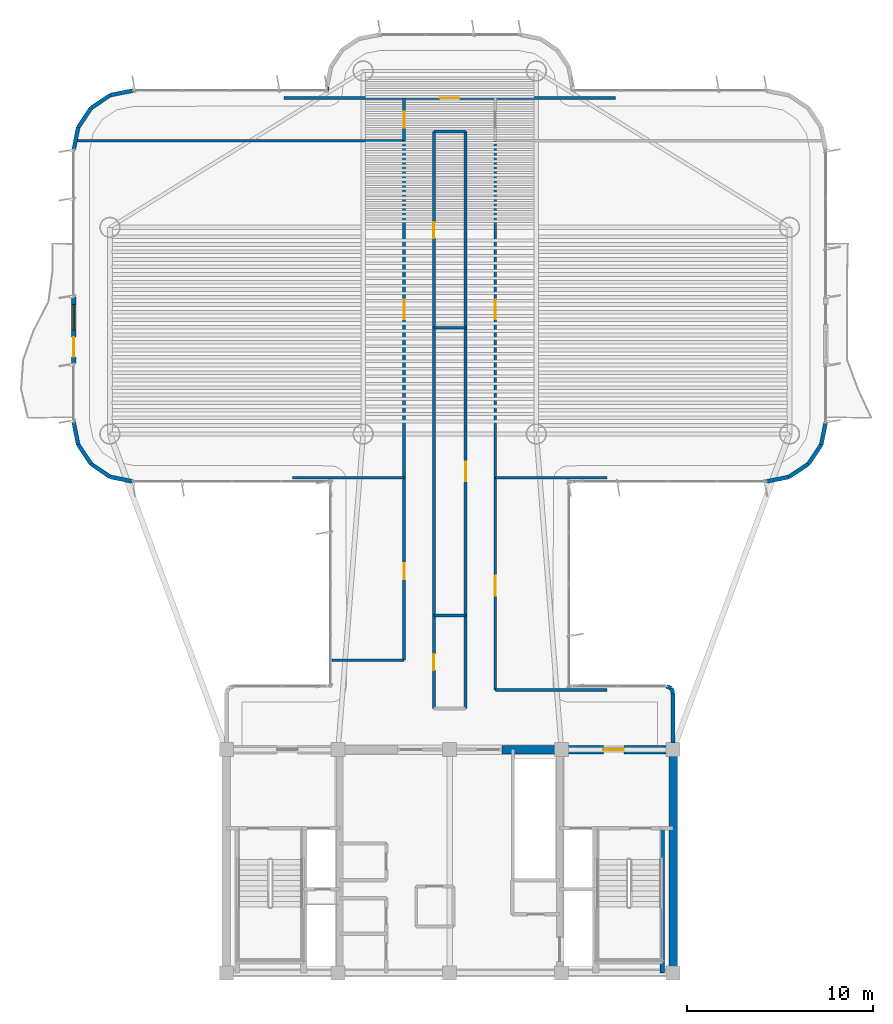
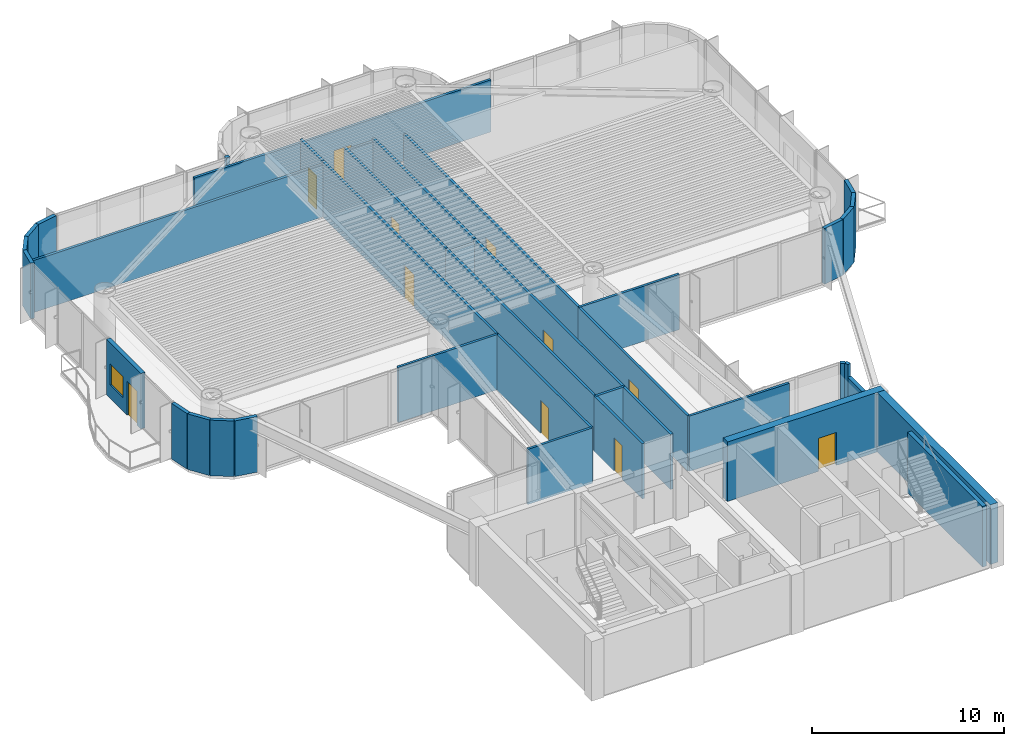
# One storey, part 10 of 13: 40 walls, 11 doors, 1 window, 12 openings.
"""IFC4 building model written with IfcOpenShell, lengths in metres."""

from ifc_helpers import new_model, si_unit, direction, frame, frame_2d, origin, origin_2d, place, context, subcontext, project, spatial, rectangle, extrude, source, transform, mapped, material, layer, layer_set, type_object, element, fill, save


model = new_model("IFC4")

# Units and contexts
model_context = context("Model", 3, precision=1e-05, world=origin(), true_north=direction((0.0, 1.0)))
body_context = subcontext(model_context, "Body", "Model", "MODEL_VIEW")
ifc_project = project(units=[si_unit("LENGTHUNIT", "METRE"), si_unit("AREAUNIT", "SQUARE_METRE"), si_unit("VOLUMEUNIT", "CUBIC_METRE"), si_unit("PLANEANGLEUNIT", "RADIAN"), si_unit("MASSUNIT", "GRAM", prefix="KILO")], contexts=[model_context])

# Site, building, storey
site_placement = place(None, origin())
site = spatial("IfcSite", under=ifc_project, at=site_placement, CompositionType="ELEMENT")
building_placement = place(site_placement, origin())
building = spatial("IfcBuilding", under=site, at=building_placement, Name="Brelvock Crest Care Tower", CompositionType="ELEMENT")
storey_placement = place(building_placement, frame((0.0, 0.0, 190.43994140625)))
storey = spatial("IfcBuildingStorey", under=building, at=storey_placement, Name="L48", CompositionType="ELEMENT", Elevation=190.43994140625)

# Wall
ifc_material_1 = material(Name="Concrete S65 (65 MPa)", Category="concrete")
ifc_layer_1 = layer(ifc_material_1, 0.449951171875, Name="WL-CS3")
ifc_layer_set_1 = layer_set([ifc_layer_1], Name="Concrete S65 (65 MPa)")
wall_type_1 = type_object("IfcWallType", Name="WL-CS3", PredefinedType="SHEAR", material=ifc_layer_set_1)
wall_1_placement = place(storey_placement, frame((48.0, 18.0, 0.0), z_axis=(0.0, 0.0, 1.0), x_axis=(0.0, -1.0, 0.0)))
element("IfcWall", 1, at=wall_1_placement, inside=storey, type_object=wall_type_1, Name="L48 Core East Shear Wall", PredefinedType="SHEAR", context=body_context, shape_type="SweptSolid", body=[
    extrude(rectangle(XDim=12.0, YDim=0.449951171875, at=frame_2d((6.0, 0.0))), origin(), (0.0, 0.0, 1.0), 3.780029296875),
])

# Wall, opening, door
wall_2_placement = place(storey_placement, frame((38.800048828125, 18.0, 0.0), z_axis=(0.0, 0.0, 1.0), x_axis=(1.0, 0.0, 0.0)))
wall_2 = element("IfcWall", 2, at=wall_2_placement, inside=storey, type_object=wall_type_1, Name="L48 Core North-East Shear Wall", PredefinedType="SHEAR", context=body_context, shape_type="SweptSolid", body=[
    extrude(rectangle(XDim=9.425048828125, YDim=0.449951171875, at=frame_2d((4.71240234375, 0.0))), origin(), (0.0, 0.0, 1.0), 3.780029296875),
])
opening_1_placement = place(wall_2_placement, frame((5.449951171875, 0.0, 0.0)))
opening_1 = element("IfcOpeningElement", 3, at=opening_1_placement, cuts=wall_2, Name="Opening FD-1", PredefinedType="OPENING", context=body_context, shape_type="SweptSolid", body=[
    extrude(rectangle(XDim=1.10009765625, YDim=2.10009765625, at=origin_2d()), frame((0.550048828125, 0.23486328125, 1.050048828125), z_axis=(0.0, -1.0, 0.0), x_axis=(1.0, 0.0, 0.0)), (0.0, 0.0, 1.0), 0.469970703125),
])
ifc_material_2 = material(Name="Steel Grade 350", Category="steel")
door_type_1 = type_object("IfcDoorType", Name="DR-FFL1", OperationType="NOTDEFINED", PredefinedType="DOOR", material=ifc_material_2)
shared_shape_1 = source(origin(), body_context, "Body", "SweptSolid", [
    extrude(rectangle(XDim=1.10009765625, YDim=2.10009765625, at=origin_2d()), frame((0.550048828125, 0.02490234375, 1.050048828125), z_axis=(0.0, -1.0, 0.0), x_axis=(1.0, 0.0, 0.0)), (0.0, 0.0, 1.0), 0.050048828125),
])
door_1_placement = place(opening_1_placement, origin())
door_1 = element("IfcDoor", 4, at=door_1_placement, inside=storey, type_object=door_type_1, Name="L48 Firefighting Lobby FFL-2 Exit Door", OperationType="SINGLE_SWING_RIGHT", OverallHeight=2.10009765625, OverallWidth=1.10009765625, PredefinedType="DOOR", context=body_context, shape_type="MappedRepresentation", body=[
    mapped(shared_shape_1, transform((0.0, 0.0, 0.0), x_axis=(1.0, 0.0, 0.0), y_axis=(0.0, 1.0, 0.0), z_axis=(0.0, 0.0, 1.0), scale=1.0)),
])
fill(opening_1, door_1)

# Wall
ifc_material_3 = material(Name="Concrete S80 (80 MPa)", Category="concrete")
ifc_layer_2 = layer(ifc_material_3, 0.25, Name="WL-CS6")
ifc_layer_set_2 = layer_set([ifc_layer_2], Name="Concrete S80 (80 MPa)")
wall_type_2 = type_object("IfcWallType", Name="WL-CS6", PredefinedType="SHEAR", material=ifc_layer_set_2)
wall_3_placement = place(storey_placement, frame((47.419921875, 6.0, 0.0), z_axis=(0.0, 0.0, 1.0), x_axis=(0.0, 1.0, 0.0)))
element("IfcWall", 5, at=wall_3_placement, inside=storey, type_object=wall_type_2, Name="L48 Core Stair ST-2 East Shear Wall", PredefinedType="SHEAR", context=body_context, shape_type="SweptSolid", body=[
    extrude(rectangle(XDim=7.780029296875, YDim=0.25, at=frame_2d((3.89013671875, 0.0))), origin(), (0.0, 0.0, 1.0), 3.85009765625),
])

# Wall, openings, door, window
ifc_material_4 = material(Name="Precast concrete N40 (40 MPa)", Category="concrete")
ifc_layer_3 = layer(ifc_material_4, 0.239990234375, Name="WL-EX1")
ifc_layer_set_3 = layer_set([ifc_layer_3], Name="Precast concrete N40 (40 MPa)")
wall_type_3 = type_object("IfcWallType", Name="WL-EX1", PredefinedType="SOLIDWALL", material=ifc_layer_set_3)
wall_4_placement = place(storey_placement, frame((15.800048828125, 38.699951171875, 0.0), z_axis=(0.0, 0.0, 1.0), x_axis=(0.0, 1.0, 0.0)))
wall_4 = element("IfcWall", 6, at=wall_4_placement, inside=storey, type_object=wall_type_3, Name="L48 Exterior Spandrel Wall WL-BAL-L48-W", PredefinedType="SOLIDWALL", context=body_context, shape_type="SweptSolid", body=[
    extrude(rectangle(XDim=3.60009765625, YDim=0.239990234375, at=frame_2d((1.800048828125, 0.0))), origin(), (0.0, 0.0, 1.0), 3.530029296875),
])
opening_2_placement = place(wall_4_placement, frame((0.39990234375, 0.0, 0.0)))
opening_2 = element("IfcOpeningElement", 7, at=opening_2_placement, cuts=wall_4, Name="Opening BD-1", PredefinedType="OPENING", context=body_context, shape_type="SweptSolid", body=[
    extrude(rectangle(XDim=1.050048828125, YDim=2.14990234375, at=origin_2d()), frame((0.52490234375, 0.1298828125, 1.074951171875), z_axis=(0.0, -1.0, 0.0), x_axis=(1.0, 0.0, 0.0)), (0.0, 0.0, 1.0), 0.260009765625),
])
opening_3_placement = place(wall_4_placement, frame((1.85009765625, 0.0, 0.85009765625)))
opening_3 = element("IfcOpeningElement", 8, at=opening_3_placement, cuts=wall_4, Name="Opening W-01", PredefinedType="OPENING", context=body_context, shape_type="SweptSolid", body=[
    extrude(rectangle(XDim=1.35009765625, YDim=1.35009765625, at=origin_2d()), frame((0.675048828125, 0.1298828125, 0.675048828125), z_axis=(0.0, -1.0, 0.0), x_axis=(1.0, 0.0, 0.0)), (0.0, 0.0, 1.0), 0.260009765625),
])
ifc_material_5 = material(Name="Dark Glass Double Glazed Low-E", Category="glass")
door_type_2 = type_object("IfcDoorType", Name="DR-BAL1", OperationType="NOTDEFINED", PredefinedType="DOOR", material=ifc_material_5)
shared_shape_2 = source(origin(), body_context, "Body", "SweptSolid", [
    extrude(rectangle(XDim=1.050048828125, YDim=2.14990234375, at=origin_2d()), frame((0.52490234375, 0.02490234375, 1.074951171875), z_axis=(0.0, -1.0, 0.0), x_axis=(1.0, 0.0, 0.0)), (0.0, 0.0, 1.0), 0.050048828125),
])
door_2_placement = place(opening_2_placement, origin())
door_2 = element("IfcDoor", 9, at=door_2_placement, inside=storey, type_object=door_type_2, Name="L48 W Wave Balcony Glazed Door", OperationType="SINGLE_SWING_LEFT", OverallHeight=2.14990234375, OverallWidth=1.050048828125, PredefinedType="DOOR", context=body_context, shape_type="MappedRepresentation", body=[
    mapped(shared_shape_2, transform((0.0, 0.0, 0.0), x_axis=(1.0, 0.0, 0.0), y_axis=(0.0, 1.0, 0.0), z_axis=(0.0, 0.0, 1.0), scale=1.0)),
])
fill(opening_2, door_2)
window_type = type_object("IfcWindowType", Name="WN-EX1", PartitioningType="SINGLE_PANEL", PredefinedType="WINDOW", material=ifc_material_5)
shared_shape_3 = source(origin(), body_context, "Body", "SweptSolid", [
    extrude(rectangle(XDim=1.35009765625, YDim=1.35009765625, at=origin_2d()), frame((0.675048828125, 0.030029296875, 0.675048828125), z_axis=(0.0, -1.0, 0.0), x_axis=(1.0, 0.0, 0.0)), (0.0, 0.0, 1.0), 0.06005859375),
])
window_placement = place(opening_3_placement, origin())
window = element("IfcWindow", 10, at=window_placement, inside=storey, type_object=window_type, Name="L48 W Suite Casement Window", OverallHeight=1.35009765625, OverallWidth=1.35009765625, PartitioningType="SINGLE_PANEL", PredefinedType="WINDOW", context=body_context, shape_type="MappedRepresentation", body=[
    mapped(shared_shape_3, transform((0.0, 0.0, 0.0), x_axis=(1.0, 0.0, 0.0), y_axis=(0.0, 1.0, 0.0), z_axis=(0.0, 0.0, 1.0), scale=1.0)),
])
fill(opening_3, window)

# Walls
ifc_layer_4 = layer(ifc_material_4, 0.215087890625, Name="WL-EX2")
ifc_layer_set_4 = layer_set([ifc_layer_4], Name="Precast concrete N40 (40 MPa)")
wall_type_4 = type_object("IfcWallType", Name="WL-EX2", PredefinedType="SOLIDWALL", material=ifc_layer_set_4)
wall_5_placement = place(storey_placement, frame((47.8974609375, 21.297607421875, 0.0), z_axis=(0.0, 0.0, 1.0), x_axis=(0.382673670509, -0.923883575944, 0.0)))
element("IfcWall", 11, at=wall_5_placement, inside=storey, type_object=wall_type_4, Name="L48 Rounded Corner Wall 00", PredefinedType="SOLIDWALL", context=body_context, shape_type="SweptSolid", body=[
    extrude(rectangle(XDim=0.26806640625, YDim=0.215087890625, at=frame_2d((0.134033203125, 0.0))), origin(), (0.0, 0.0, 1.0), 3.530029296875),
])
wall_6_placement = place(storey_placement, frame((48.0, 21.050048828125, 0.0), z_axis=(0.0, 0.0, 1.0), x_axis=(0.0, -1.0, 0.0)))
element("IfcWall", 12, at=wall_6_placement, inside=storey, type_object=wall_type_4, Name="L48 Rounded Corner Wall 01", PredefinedType="SOLIDWALL", context=body_context, shape_type="SweptSolid", body=[
    extrude(rectangle(XDim=2.695068359375, YDim=0.215087890625, at=frame_2d((1.34765625, 0.0))), origin(), (0.0, 0.0, 1.0), 2.718017578125),
])
for number, where, z_axis, x_axis, name in (
    (13, (19.0, 32.39990234375, 0.0), (0.0, 0.0, 1.0), (-0.980775717779, 0.195138390419, 0.0), "L48 Rounded Corner Wall 13"),
    (14, (17.775390625, 32.6435546875, 0.0), (0.0, 0.0, 1.0), (-0.831387912822, 0.555692485475, 0.0), "L48 Rounded Corner Wall 14"),
    (15, (16.7373046875, 33.33740234375, 0.0), (0.0, 0.0, 1.0), (-0.555557312883, 0.831478245117, 0.0), "L48 Rounded Corner Wall 15"),
    (16, (16.043701171875, 34.37548828125, 0.0), (0.0, 0.0, 1.0), (-0.195138390419, 0.980775717779, 0.0), "L48 Rounded Corner Wall 16"),
    (17, (15.800048828125, 50.199951171875, 0.0), (0.0, 0.0, 1.0), (0.195138390419, 0.980775717779, 0.0), "L48 Rounded Corner Wall 18"),
    (18, (16.043701171875, 51.424560546875, 0.0), (0.0, 0.0, 1.0), (0.555557312883, 0.831478245117, 0.0), "L48 Rounded Corner Wall 19"),
    (19, (16.7373046875, 52.462646484375, 0.0), (0.0, 0.0, 1.0), (0.831387912822, 0.555692485475, 0.0), "L48 Rounded Corner Wall 20"),
    (20, (17.775390625, 53.156494140625, 0.0), (0.0, 0.0, 1.0), (0.980813122964, 0.194950295773, 0.0), "L48 Rounded Corner Wall 21"),
):
    element("IfcWall", number, at=place(storey_placement, frame(where, z_axis=z_axis, x_axis=x_axis)), inside=storey, type_object=wall_type_4, Name=name, PredefinedType="SOLIDWALL", context=body_context, shape_type="SweptSolid", body=[
        extrude(rectangle(XDim=1.24853515625, YDim=0.215087890625, at=frame_2d((0.624267578125, 0.0))), origin(), (0.0, 0.0, 1.0), 3.530029296875),
    ])
wall_7_placement = place(storey_placement, frame((29.39990234375, 53.39990234375, 0.0), z_axis=(0.0, 0.0, 1.0), x_axis=(0.0, 1.0, 0.0)))
element("IfcWall", 21, at=wall_7_placement, inside=storey, type_object=wall_type_4, Name="L48 Rounded Corner Wall 23", PredefinedType="SOLIDWALL", context=body_context, shape_type="SweptSolid", body=[
    extrude(rectangle(XDim=0.2001953125, YDim=0.215087890625, at=frame_2d((0.10009765625, 0.0))), origin(), (0.0, 0.0, 1.0), 3.530029296875),
])
for number, where, z_axis, x_axis, name in (
    (22, (56.199951171875, 35.60009765625, 0.0), (0.0, 0.0, 1.0), (-0.195138390419, -0.980775717779, 0.0), "L48 Rounded Corner Wall 40"),
    (23, (55.956298828125, 34.37548828125, 0.0), (0.0, 0.0, 1.0), (-0.555557312883, -0.831478245117, 0.0), "L48 Rounded Corner Wall 41"),
    (24, (55.2626953125, 33.33740234375, 0.0), (0.0, 0.0, 1.0), (-0.831387912822, -0.555692485475, 0.0), "L48 Rounded Corner Wall 42"),
    (25, (54.224609375, 32.6435546875, 0.0), (0.0, 0.0, 1.0), (-0.980775717779, -0.195138390419, 0.0), "L48 Rounded Corner Wall 43"),
):
    element("IfcWall", number, at=place(storey_placement, frame(where, z_axis=z_axis, x_axis=x_axis)), inside=storey, type_object=wall_type_4, Name=name, PredefinedType="SOLIDWALL", context=body_context, shape_type="SweptSolid", body=[
        extrude(rectangle(XDim=1.24853515625, YDim=0.215087890625, at=frame_2d((0.624267578125, 0.0))), origin(), (0.0, 0.0, 1.0), 3.530029296875),
    ])
wall_8_placement = place(storey_placement, frame((47.64990234375, 21.39990234375, 0.0), z_axis=(0.0, 0.0, 1.0), x_axis=(0.924205486139, -0.381895560841, 0.0)))
element("IfcWall", 26, at=wall_8_placement, inside=storey, type_object=wall_type_4, Name="L48 Rounded Corner Wall 47", PredefinedType="SOLIDWALL", context=body_context, shape_type="SweptSolid", body=[
    extrude(rectangle(XDim=0.267822265625, YDim=0.215087890625, at=frame_2d((0.1337890625, 0.0))), origin(), (0.0, 0.0, 1.0), 3.530029296875),
])
ifc_material_6 = material(Name="Masonry Blockwork Acoustic Partition", Category="masonry")
ifc_layer_5 = layer(ifc_material_6, 0.14990234375, Name="WL-INT1")
ifc_layer_set_5 = layer_set([ifc_layer_5], Name="Masonry Blockwork Acoustic Partition")
wall_type_5 = type_object("IfcWallType", Name="WL-INT1", PredefinedType="PARTITIONING", material=ifc_layer_set_5)
wall_9_placement = place(storey_placement, frame((38.449951171875, 21.199951171875, 0.0), z_axis=(0.0, 0.0, 1.0), x_axis=(1.0, 0.0, 0.0)))
element("IfcWall", 27, at=wall_9_placement, inside=storey, type_object=wall_type_5, Name="L48 Interior Wall WL-BX-L48-THRE-S", PredefinedType="PARTITIONING", context=body_context, shape_type="SweptSolid", body=[
    extrude(rectangle(XDim=5.99267578125, YDim=0.14990234375, at=frame_2d((2.996337890625, 0.0))), origin(), (0.0, 0.0, 1.0), 3.5),
])
wall_10_placement = place(storey_placement, frame((29.6796875, 22.800048828125, 0.0), z_axis=(0.0, 0.0, 1.0), x_axis=(1.0, 0.0, 0.0)))
element("IfcWall", 28, at=wall_10_placement, inside=storey, type_object=wall_type_5, Name="L48 Interior Wall WL-BX-L48-THRW-S", PredefinedType="PARTITIONING", context=body_context, shape_type="SweptSolid", body=[
    extrude(rectangle(XDim=3.870361328125, YDim=0.14990234375, at=frame_2d((1.93505859375, 0.0))), origin(), (0.0, 0.0, 1.0), 3.5),
])
wall_11_placement = place(storey_placement, frame((27.55712890625, 32.60009765625, 0.0), z_axis=(0.0, 0.0, 1.0), x_axis=(1.0, 0.0, 0.0)))
element("IfcWall", 29, at=wall_11_placement, inside=storey, type_object=wall_type_5, Name="L48 Interior Wall WL-BX-L48-THRW-N", PredefinedType="PARTITIONING", context=body_context, shape_type="SweptSolid", body=[
    extrude(rectangle(XDim=5.992919921875, YDim=0.14990234375, at=frame_2d((2.99658203125, 0.0))), origin(), (0.0, 0.0, 1.0), 3.5),
])
wall_12_placement = place(storey_placement, frame((38.449951171875, 32.60009765625, 0.0), z_axis=(0.0, 0.0, 1.0), x_axis=(1.0, 0.0, 0.0)))
element("IfcWall", 30, at=wall_12_placement, inside=storey, type_object=wall_type_5, Name="L48 Interior Wall WL-BX-L48-ECLB-S", PredefinedType="PARTITIONING", context=body_context, shape_type="SweptSolid", body=[
    extrude(rectangle(XDim=5.993408203125, YDim=0.14990234375, at=frame_2d((2.99658203125, 0.0))), origin(), (0.0, 0.0, 1.0), 3.5),
])
wall_13_placement = place(storey_placement, frame((35.14990234375, 40.659912109375, 0.0), z_axis=(0.0, 0.0, 1.0), x_axis=(1.0, 0.0, 0.0)))
element("IfcWall", 31, at=wall_13_placement, inside=storey, type_object=wall_type_5, Name="L48 Interior Wall WL-BX-L48-ISKT-S", PredefinedType="PARTITIONING", context=body_context, shape_type="SweptSolid", body=[
    extrude(rectangle(XDim=1.7001953125, YDim=0.14990234375, at=frame_2d((0.85009765625, 0.0))), origin(), (0.0, 0.0, 1.0), 3.259033203125),
])
wall_14_placement = place(storey_placement, frame((15.98095703125, 50.699951171875, 0.0), z_axis=(0.0, 0.0, 1.0), x_axis=(1.0, 0.0, 0.0)))
element("IfcWall", 32, at=wall_14_placement, inside=storey, type_object=wall_type_5, Name="L48 Interior Wall WL-BX-L48-NALW-S", PredefinedType="PARTITIONING", context=body_context, shape_type="SweptSolid", body=[
    extrude(rectangle(XDim=17.569091796875, YDim=0.14990234375, at=frame_2d((8.78466796875, 0.0))), origin(), (0.0, 0.0, 1.0), 3.30810546875),
])
wall_15_placement = place(storey_placement, frame((35.14990234375, 51.199951171875, 0.0), z_axis=(0.0, 0.0, 1.0), x_axis=(1.0, 0.0, 0.0)))
element("IfcWall", 33, at=wall_15_placement, inside=storey, type_object=wall_type_5, Name="L48 Interior Wall WL-BX-L48-ISKT-N", PredefinedType="PARTITIONING", context=body_context, shape_type="SweptSolid", body=[
    extrude(rectangle(XDim=1.7001953125, YDim=0.14990234375, at=frame_2d((0.85009765625, 0.0))), origin(), (0.0, 0.0, 1.0), 3.30810546875),
])

# Wall, opening, door
wall_16_placement = place(storey_placement, frame((27.10009765625, 53.0, 0.0), z_axis=(0.0, 0.0, 1.0), x_axis=(1.0, 0.0, 0.0)))
wall_16 = element("IfcWall", 34, at=wall_16_placement, inside=storey, type_object=wall_type_5, Name="L48 Interior Wall WL-RM-L48-NHUB", PredefinedType="PARTITIONING", context=body_context, shape_type="SweptSolid", body=[
    extrude(rectangle(XDim=17.7998046875, YDim=0.14990234375, at=frame_2d((8.89990234375, 0.0))), origin(), (0.0, 0.0, 1.0), 3.30810546875),
])
opening_4_placement = place(wall_16_placement, frame((8.375, 0.0, 0.0)))
opening_4 = element("IfcOpeningElement", 35, at=opening_4_placement, cuts=wall_16, Name="Opening CLD-1", PredefinedType="OPENING", context=body_context, shape_type="SweptSolid", body=[
    extrude(rectangle(XDim=1.050048828125, YDim=2.10009765625, at=origin_2d()), frame((0.52490234375, 0.0849609375, 1.050048828125), z_axis=(0.0, -1.0, 0.0), x_axis=(1.0, 0.0, 0.0)), (0.0, 0.0, 1.0), 0.169921875),
])
ifc_material_7 = material(Name="Engineered Hardwood Timber", Category="wood")
door_type_3 = type_object("IfcDoorType", Name="DR-CLN1", OperationType="NOTDEFINED", PredefinedType="DOOR", material=ifc_material_7)
shared_shape_4 = source(origin(), body_context, "Body", "SweptSolid", [
    extrude(rectangle(XDim=1.050048828125, YDim=2.10009765625, at=origin_2d()), frame((0.52490234375, 0.02490234375, 1.050048828125), z_axis=(0.0, -1.0, 0.0), x_axis=(1.0, 0.0, 0.0)), (0.0, 0.0, 1.0), 0.050048828125),
])
door_3_placement = place(opening_4_placement, origin())
door_3 = element("IfcDoor", 36, at=door_3_placement, inside=storey, type_object=door_type_3, Name="L48 Harbour Lookout Dining Salon Door NHUB", OperationType="SINGLE_SWING_LEFT", OverallHeight=2.10009765625, OverallWidth=1.050048828125, PredefinedType="DOOR", context=body_context, shape_type="MappedRepresentation", body=[
    mapped(shared_shape_4, transform((0.0, 0.0, 0.0), x_axis=(1.0, 0.0, 0.0), y_axis=(0.0, 1.0, 0.0), z_axis=(0.0, 0.0, 1.0), scale=1.0)),
])
fill(opening_4, door_3)

wall_17_placement = place(storey_placement, frame((33.550048828125, 22.800048828125, 0.0), z_axis=(0.0, 0.0, 1.0), x_axis=(0.0, 1.0, 0.0)))
wall_17 = element("IfcWall", 37, at=wall_17_placement, inside=storey, type_object=wall_type_5, Name="L48 Interior Wall WL-RM-L48-THRW", PredefinedType="PARTITIONING", context=body_context, shape_type="SweptSolid", body=[
    extrude(rectangle(XDim=9.800048828125, YDim=0.14990234375, at=frame_2d((4.89990234375, 0.0))), origin(), (0.0, 0.0, 1.0), 3.5),
])
opening_5_placement = place(wall_17_placement, frame((4.340087890625, 0.0, 0.0)))
opening_5 = element("IfcOpeningElement", 38, at=opening_5_placement, cuts=wall_17, Name="Opening ID-1", PredefinedType="OPENING", context=body_context, shape_type="SweptSolid", body=[
    extrude(rectangle(XDim=0.860107421875, YDim=2.10009765625, at=origin_2d()), frame((0.43017578125, 0.0849609375, 1.050048828125), z_axis=(0.0, -1.0, 0.0), x_axis=(1.0, 0.0, 0.0)), (0.0, 0.0, 1.0), 0.169921875),
])
door_type_4 = type_object("IfcDoorType", Name="DR-INT1", OperationType="NOTDEFINED", PredefinedType="DOOR", material=ifc_material_7)
shared_shape_5 = source(origin(), body_context, "Body", "SweptSolid", [
    extrude(rectangle(XDim=0.860107421875, YDim=2.10009765625, at=origin_2d()), frame((0.43017578125, 0.02490234375, 1.050048828125), z_axis=(0.0, -1.0, 0.0), x_axis=(1.0, 0.0, 0.0)), (0.0, 0.0, 1.0), 0.050048828125),
])
door_4_placement = place(opening_5_placement, origin())
door_4 = element("IfcDoor", 39, at=door_4_placement, inside=storey, type_object=door_type_4, Name="L48 Quiet Family Consultation Room Door THRW", OperationType="SINGLE_SWING_LEFT", OverallHeight=2.10009765625, OverallWidth=0.860107421875, PredefinedType="DOOR", context=body_context, shape_type="MappedRepresentation", body=[
    mapped(shared_shape_5, transform((0.0, 0.0, 0.0), x_axis=(1.0, 0.0, 0.0), y_axis=(0.0, 1.0, 0.0), z_axis=(0.0, 0.0, 1.0), scale=1.0)),
])
fill(opening_5, door_4)

wall_18_placement = place(storey_placement, frame((33.550048828125, 32.60009765625, 0.0), z_axis=(0.0, 0.0, 1.0), x_axis=(0.0, 1.0, 0.0)))
wall_18 = element("IfcWall", 40, at=wall_18_placement, inside=storey, type_object=wall_type_5, Name="L48 Interior Wall WL-RM-L48-WCLB", PredefinedType="PARTITIONING", context=body_context, shape_type="SweptSolid", body=[
    extrude(rectangle(XDim=18.099853515625, YDim=0.14990234375, at=frame_2d((9.0498046875, 0.0))), origin(), (0.0, 0.0, 1.0), 3.5),
])
opening_6_placement = place(wall_18_placement, frame((8.52490234375, 0.0, 0.0)))
opening_6 = element("IfcOpeningElement", 41, at=opening_6_placement, cuts=wall_18, Name="Opening CLD-1", PredefinedType="OPENING", context=body_context, shape_type="SweptSolid", body=[
    extrude(rectangle(XDim=1.050048828125, YDim=2.10009765625, at=origin_2d()), frame((0.52490234375, 0.0849609375, 1.050048828125), z_axis=(0.0, -1.0, 0.0), x_axis=(1.0, 0.0, 0.0)), (0.0, 0.0, 1.0), 0.169921875),
])
door_5_placement = place(opening_6_placement, origin())
door_5 = element("IfcDoor", 42, at=door_5_placement, inside=storey, type_object=door_type_3, Name="L48 Sky Harbour Club Lounge Door WCLB", OperationType="SINGLE_SWING_LEFT", OverallHeight=2.10009765625, OverallWidth=1.050048828125, PredefinedType="DOOR", context=body_context, shape_type="MappedRepresentation", body=[
    mapped(shared_shape_4, transform((0.0, 0.0, 0.0), x_axis=(1.0, 0.0, 0.0), y_axis=(0.0, 1.0, 0.0), z_axis=(0.0, 0.0, 1.0), scale=1.0)),
])
fill(opening_6, door_5)

wall_19_placement = place(storey_placement, frame((33.550048828125, 50.699951171875, 0.0), z_axis=(0.0, 0.0, 1.0), x_axis=(0.0, 1.0, 0.0)))
wall_19 = element("IfcWall", 43, at=wall_19_placement, inside=storey, type_object=wall_type_5, Name="L48 Interior Wall WL-RM-L48-NALW", PredefinedType="PARTITIONING", context=body_context, shape_type="SweptSolid", body=[
    extrude(rectangle(XDim=2.300048828125, YDim=0.14990234375, at=frame_2d((1.14990234375, 0.0))), origin(), (0.0, 0.0, 1.0), 3.5),
])
opening_7_placement = place(wall_19_placement, frame((0.68994140625, 0.0, 0.0)))
opening_7 = element("IfcOpeningElement", 44, at=opening_7_placement, cuts=wall_19, Name="Opening ID-1", PredefinedType="OPENING", context=body_context, shape_type="SweptSolid", body=[
    extrude(rectangle(XDim=0.860107421875, YDim=2.10009765625, at=origin_2d()), frame((0.43017578125, 0.0849609375, 1.050048828125), z_axis=(0.0, -1.0, 0.0), x_axis=(1.0, 0.0, 0.0)), (0.0, 0.0, 1.0), 0.169921875),
])
door_6_placement = place(opening_7_placement, origin())
door_6 = element("IfcDoor", 45, at=door_6_placement, inside=storey, type_object=door_type_4, Name="L48 North West Sun Alcove Door NALW", OperationType="SINGLE_SWING_LEFT", OverallHeight=2.10009765625, OverallWidth=0.860107421875, PredefinedType="DOOR", context=body_context, shape_type="MappedRepresentation", body=[
    mapped(shared_shape_5, transform((0.0, 0.0, 0.0), x_axis=(1.0, 0.0, 0.0), y_axis=(0.0, 1.0, 0.0), z_axis=(0.0, 0.0, 1.0), scale=1.0)),
])
fill(opening_7, door_6)

# Wall
wall_20_placement = place(storey_placement, frame((35.14990234375, 25.199951171875, 0.0), z_axis=(0.0, 0.0, 1.0), x_axis=(0.0, 1.0, 0.0)))
element("IfcWall", 46, at=wall_20_placement, inside=storey, type_object=wall_type_5, Name="L48 Interior Wall WL-BX-L48-ISNS-W", PredefinedType="PARTITIONING", context=body_context, shape_type="SweptSolid", body=[
    extrude(rectangle(XDim=15.4599609375, YDim=0.14990234375, at=frame_2d((7.72998046875, 0.0))), origin(), (0.0, 0.0, 1.0), 3.5),
])

# Wall, opening, door
wall_21_placement = place(storey_placement, frame((35.14990234375, 40.659912109375, 0.0), z_axis=(0.0, 0.0, 1.0), x_axis=(0.0, 1.0, 0.0)))
wall_21 = element("IfcWall", 47, at=wall_21_placement, inside=storey, type_object=wall_type_5, Name="L48 Interior Wall WL-RM-L48-ISKT", PredefinedType="PARTITIONING", context=body_context, shape_type="SweptSolid", body=[
    extrude(rectangle(XDim=10.5400390625, YDim=0.14990234375, at=frame_2d((5.27001953125, 0.0))), origin(), (0.0, 0.0, 1.0), 3.5),
])
opening_8_placement = place(wall_21_placement, frame((4.81005859375, 0.0, 0.0)))
opening_8 = element("IfcOpeningElement", 48, at=opening_8_placement, cuts=wall_21, Name="Opening ID-1", PredefinedType="OPENING", context=body_context, shape_type="SweptSolid", body=[
    extrude(rectangle(XDim=0.860107421875, YDim=2.10009765625, at=origin_2d()), frame((0.43017578125, 0.0849609375, 1.050048828125), z_axis=(0.0, -1.0, 0.0), x_axis=(1.0, 0.0, 0.0)), (0.0, 0.0, 1.0), 0.169921875),
])
door_7_placement = place(opening_8_placement, origin())
door_7 = element("IfcDoor", 49, at=door_7_placement, inside=storey, type_object=door_type_4, Name="L48 Communal Tea and Nutrition Pantry Door ISKT", OperationType="SINGLE_SWING_LEFT", OverallHeight=2.10009765625, OverallWidth=0.860107421875, PredefinedType="DOOR", context=body_context, shape_type="MappedRepresentation", body=[
    mapped(shared_shape_5, transform((0.0, 0.0, 0.0), x_axis=(1.0, 0.0, 0.0), y_axis=(0.0, 1.0, 0.0), z_axis=(0.0, 0.0, 1.0), scale=1.0)),
])
fill(opening_8, door_7)

wall_22_placement = place(storey_placement, frame((36.85009765625, 25.199951171875, 0.0), z_axis=(0.0, 0.0, 1.0), x_axis=(0.0, 1.0, 0.0)))
wall_22 = element("IfcWall", 50, at=wall_22_placement, inside=storey, type_object=wall_type_5, Name="L48 Interior Wall WL-RM-L48-ISNS", PredefinedType="PARTITIONING", context=body_context, shape_type="SweptSolid", body=[
    extrude(rectangle(XDim=15.4599609375, YDim=0.14990234375, at=frame_2d((7.72998046875, 0.0))), origin(), (0.0, 0.0, 1.0), 3.5),
])
opening_9_placement = place(wall_22_placement, frame((7.205078125, 0.0, 0.0)))
opening_9 = element("IfcOpeningElement", 51, at=opening_9_placement, cuts=wall_22, Name="Opening CLD-1", PredefinedType="OPENING", context=body_context, shape_type="SweptSolid", body=[
    extrude(rectangle(XDim=1.050048828125, YDim=2.10009765625, at=origin_2d()), frame((0.52490234375, 0.0849609375, 1.050048828125), z_axis=(0.0, -1.0, 0.0), x_axis=(1.0, 0.0, 0.0)), (0.0, 0.0, 1.0), 0.169921875),
])
door_8_placement = place(opening_9_placement, origin())
door_8 = element("IfcDoor", 52, at=door_8_placement, inside=storey, type_object=door_type_3, Name="L48 Care Concierge and Triage Station Door ISNS", OperationType="SINGLE_SWING_LEFT", OverallHeight=2.10009765625, OverallWidth=1.050048828125, PredefinedType="DOOR", context=body_context, shape_type="MappedRepresentation", body=[
    mapped(shared_shape_4, transform((0.0, 0.0, 0.0), x_axis=(1.0, 0.0, 0.0), y_axis=(0.0, 1.0, 0.0), z_axis=(0.0, 0.0, 1.0), scale=1.0)),
])
fill(opening_9, door_8)

# Wall
wall_23_placement = place(storey_placement, frame((36.85009765625, 40.659912109375, 0.0), z_axis=(0.0, 0.0, 1.0), x_axis=(0.0, 1.0, 0.0)))
element("IfcWall", 53, at=wall_23_placement, inside=storey, type_object=wall_type_5, Name="L48 Interior Wall WL-BX-L48-ISKT-E", PredefinedType="PARTITIONING", context=body_context, shape_type="SweptSolid", body=[
    extrude(rectangle(XDim=10.5400390625, YDim=0.14990234375, at=frame_2d((5.27001953125, 0.0))), origin(), (0.0, 0.0, 1.0), 3.5),
])

# Wall, opening, door
wall_24_placement = place(storey_placement, frame((38.449951171875, 21.199951171875, 0.0), z_axis=(0.0, 0.0, 1.0), x_axis=(0.0, 1.0, 0.0)))
wall_24 = element("IfcWall", 54, at=wall_24_placement, inside=storey, type_object=wall_type_5, Name="L48 Interior Wall WL-RM-L48-THRE", PredefinedType="PARTITIONING", context=body_context, shape_type="SweptSolid", body=[
    extrude(rectangle(XDim=11.400146484375, YDim=0.14990234375, at=frame_2d((5.7001953125, 0.0))), origin(), (0.0, 0.0, 1.0), 3.5),
])
opening_10_placement = place(wall_24_placement, frame((5.074951171875, 0.0, 0.0)))
opening_10 = element("IfcOpeningElement", 55, at=opening_10_placement, cuts=wall_24, Name="Opening CLD-1", PredefinedType="OPENING", context=body_context, shape_type="SweptSolid", body=[
    extrude(rectangle(XDim=1.050048828125, YDim=2.10009765625, at=origin_2d()), frame((0.52490234375, 0.0849609375, 1.050048828125), z_axis=(0.0, -1.0, 0.0), x_axis=(1.0, 0.0, 0.0)), (0.0, 0.0, 1.0), 0.169921875),
])
door_9_placement = place(opening_10_placement, origin())
door_9 = element("IfcDoor", 56, at=door_9_placement, inside=storey, type_object=door_type_3, Name="L48 Allied Health Therapy Room Door THRE", OperationType="SINGLE_SWING_LEFT", OverallHeight=2.10009765625, OverallWidth=1.050048828125, PredefinedType="DOOR", context=body_context, shape_type="MappedRepresentation", body=[
    mapped(shared_shape_4, transform((0.0, 0.0, 0.0), x_axis=(1.0, 0.0, 0.0), y_axis=(0.0, 1.0, 0.0), z_axis=(0.0, 0.0, 1.0), scale=1.0)),
])
fill(opening_10, door_9)

wall_25_placement = place(storey_placement, frame((38.449951171875, 32.60009765625, 0.0), z_axis=(0.0, 0.0, 1.0), x_axis=(0.0, 1.0, 0.0)))
wall_25 = element("IfcWall", 57, at=wall_25_placement, inside=storey, type_object=wall_type_5, Name="L48 Interior Wall WL-RM-L48-ECLB", PredefinedType="PARTITIONING", context=body_context, shape_type="SweptSolid", body=[
    extrude(rectangle(XDim=18.099853515625, YDim=0.14990234375, at=frame_2d((9.0498046875, 0.0))), origin(), (0.0, 0.0, 1.0), 3.5),
])
opening_11_placement = place(wall_25_placement, frame((8.52490234375, 0.0, 0.0)))
opening_11 = element("IfcOpeningElement", 58, at=opening_11_placement, cuts=wall_25, Name="Opening CLD-1", PredefinedType="OPENING", context=body_context, shape_type="SweptSolid", body=[
    extrude(rectangle(XDim=1.050048828125, YDim=2.10009765625, at=origin_2d()), frame((0.52490234375, 0.0849609375, 1.050048828125), z_axis=(0.0, -1.0, 0.0), x_axis=(1.0, 0.0, 0.0)), (0.0, 0.0, 1.0), 0.169921875),
])
door_10_placement = place(opening_11_placement, origin())
door_10 = element("IfcDoor", 59, at=door_10_placement, inside=storey, type_object=door_type_3, Name="L48 Senior Botanical Reading Salon Door ECLB", OperationType="SINGLE_SWING_LEFT", OverallHeight=2.10009765625, OverallWidth=1.050048828125, PredefinedType="DOOR", context=body_context, shape_type="MappedRepresentation", body=[
    mapped(shared_shape_4, transform((0.0, 0.0, 0.0), x_axis=(1.0, 0.0, 0.0), y_axis=(0.0, 1.0, 0.0), z_axis=(0.0, 0.0, 1.0), scale=1.0)),
])
fill(opening_11, door_10)

# Wall
ifc_material_8 = material(Name="Gypsum Plasterboard Partition", Category="gypsum")
ifc_layer_6 = layer(ifc_material_8, 0.159912109375, Name="WL-PLM1")
ifc_layer_set_6 = layer_set([ifc_layer_6], Name="Gypsum Plasterboard Partition")
wall_type_6 = type_object("IfcWallType", Name="WL-PLM1", PredefinedType="PLUMBINGWALL", material=ifc_layer_set_6)
wall_26_placement = place(storey_placement, frame((35.14990234375, 25.199951171875, 0.0), z_axis=(0.0, 0.0, 1.0), x_axis=(1.0, 0.0, 0.0)))
element("IfcWall", 60, at=wall_26_placement, inside=storey, type_object=wall_type_6, Name="L48 Interior Wall WL-BX-L48-ISNS-S", PredefinedType="PLUMBINGWALL", context=body_context, shape_type="SweptSolid", body=[
    extrude(rectangle(XDim=1.7001953125, YDim=0.159912109375, at=frame_2d((0.85009765625, 0.0))), origin(), (0.0, 0.0, 1.0), 3.5),
])

# Wall, opening, door
wall_27_placement = place(storey_placement, frame((35.14990234375, 20.199951171875, 0.0), z_axis=(0.0, 0.0, 1.0), x_axis=(0.0, 1.0, 0.0)))
wall_27 = element("IfcWall", 61, at=wall_27_placement, inside=storey, type_object=wall_type_6, Name="L48 Interior Wall WL-RM-L48-ISWC", PredefinedType="PLUMBINGWALL", context=body_context, shape_type="SweptSolid", body=[
    extrude(rectangle(XDim=5.0, YDim=0.159912109375, at=frame_2d((2.5, 0.0))), origin(), (0.0, 0.0, 1.0), 3.5),
])
opening_12_placement = place(wall_27_placement, frame((2.070068359375, 0.0, 0.0)))
opening_12 = element("IfcOpeningElement", 62, at=opening_12_placement, cuts=wall_27, Name="Opening WD-1", PredefinedType="OPENING", context=body_context, shape_type="SweptSolid", body=[
    extrude(rectangle(XDim=0.860107421875, YDim=2.10009765625, at=origin_2d()), frame((0.43017578125, 0.08984375, 1.050048828125), z_axis=(0.0, -1.0, 0.0), x_axis=(1.0, 0.0, 0.0)), (0.0, 0.0, 1.0), 0.179931640625),
])
door_type_5 = type_object("IfcDoorType", Name="DR-WC1", OperationType="NOTDEFINED", PredefinedType="DOOR", material=ifc_material_7)
shared_shape_6 = source(origin(), body_context, "Body", "SweptSolid", [
    extrude(rectangle(XDim=0.860107421875, YDim=2.10009765625, at=origin_2d()), frame((0.43017578125, 0.02490234375, 1.050048828125), z_axis=(0.0, -1.0, 0.0), x_axis=(1.0, 0.0, 0.0)), (0.0, 0.0, 1.0), 0.050048828125),
])
door_11_placement = place(opening_12_placement, origin())
door_11 = element("IfcDoor", 63, at=door_11_placement, inside=storey, type_object=door_type_5, Name="L48 High-Zone Accessible WC Door ISWC", OperationType="SINGLE_SWING_LEFT", OverallHeight=2.10009765625, OverallWidth=0.860107421875, PredefinedType="DOOR", context=body_context, shape_type="MappedRepresentation", body=[
    mapped(shared_shape_6, transform((0.0, 0.0, 0.0), x_axis=(1.0, 0.0, 0.0), y_axis=(0.0, 1.0, 0.0), z_axis=(0.0, 0.0, 1.0), scale=1.0)),
])
fill(opening_12, door_11)

# Wall
wall_28_placement = place(storey_placement, frame((36.85009765625, 20.199951171875, 0.0), z_axis=(0.0, 0.0, 1.0), x_axis=(0.0, 1.0, 0.0)))
element("IfcWall", 64, at=wall_28_placement, inside=storey, type_object=wall_type_6, Name="L48 Interior Wall WL-BX-L48-ISWC-E", PredefinedType="PLUMBINGWALL", context=body_context, shape_type="SweptSolid", body=[
    extrude(rectangle(XDim=5.0, YDim=0.159912109375, at=frame_2d((2.5, 0.0))), origin(), (0.0, 0.0, 1.0), 3.5),
])

save(model, "model.ifc")
